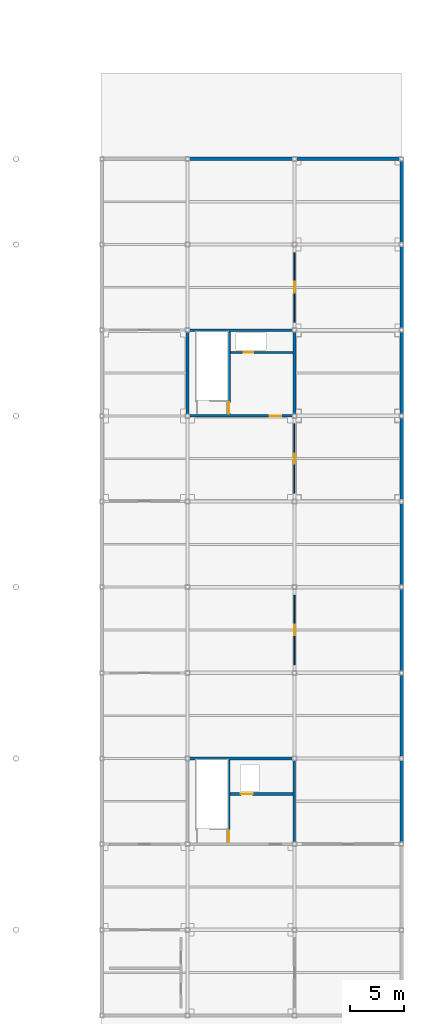
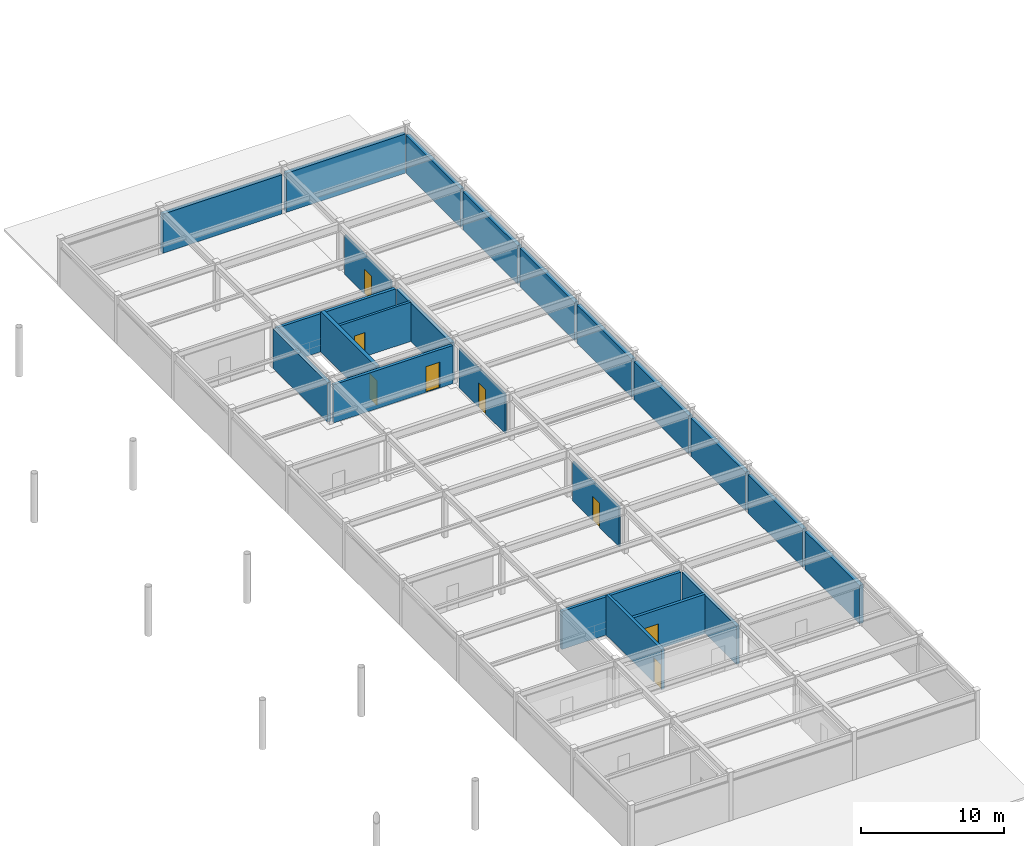
# One storey, part 59 of 78: 23 walls, 8 doors, 8 openings.
"""IFC4 building model written with IfcOpenShell, lengths in metres."""

from ifc_helpers import new_model, si_unit, direction, frame, frame_2d, origin, place, context, subcontext, project, spatial, rectangle, extrude, material, layer, layer_set, type_object, element, fill, save


model = new_model("IFC4")

# Units and contexts
model_context = context("Model", 3, precision=1e-05, world=origin(), true_north=direction((0.0, 1.0)))
body_context = subcontext(model_context, "Body", "Model", "MODEL_VIEW")
ifc_project = project(units=[si_unit("LENGTHUNIT", "METRE"), si_unit("AREAUNIT", "SQUARE_METRE"), si_unit("VOLUMEUNIT", "CUBIC_METRE"), si_unit("PLANEANGLEUNIT", "RADIAN"), si_unit("MASSUNIT", "GRAM", prefix="KILO")], contexts=[model_context])

# Site, building, storey
site_placement = place(None, origin())
site = spatial("IfcSite", under=ifc_project, at=site_placement, CompositionType="ELEMENT")
building_placement = place(site_placement, origin())
building = spatial("IfcBuilding", under=site, at=building_placement, Name="Haebicheon Civic Stadium", CompositionType="ELEMENT")
storey_placement = place(building_placement, frame((0.0, 0.0, 18.60009765625)))
storey = spatial("IfcBuildingStorey", under=building, at=storey_placement, Name="L05", CompositionType="ELEMENT", Elevation=18.60009765625)

# Walls
ifc_material_1 = material(Name="Concrete C40/50", Category="concrete")
ifc_layer_1 = layer(ifc_material_1, 0.239990234375, Name="Concrete C40/50")
ifc_layer_set_1 = layer_set([ifc_layer_1], Name="Concrete C40/50")
wall_type_1 = type_object("IfcWallType", Name="CW-SHR-240", PredefinedType="SHEAR", material=ifc_layer_set_1)
wall_1_placement = place(storey_placement, frame((216.175048828125, 72.0, 0.0), z_axis=(0.0, 0.0, 1.0), x_axis=(1.0, 0.0, 0.0)))
element("IfcWall", 1, at=wall_1_placement, inside=storey, type_object=wall_type_1, material=ifc_layer_set_1, Name="KC-12 L05 north core shear wall", PredefinedType="SHEAR", context=body_context, shape_type="SweptSolid", body=[
    extrude(rectangle(XDim=9.64990234375, YDim=0.239990234375, at=frame_2d((4.824951171875, 0.0))), origin(), (0.0, 0.0, 1.0), 3.27001953125),
])
wall_2_placement = place(storey_placement, frame((226.0, 64.175048828125, 0.0), z_axis=(0.0, 0.0, 1.0), x_axis=(0.0, 1.0, 0.0)))
element("IfcWall", 2, at=wall_2_placement, inside=storey, type_object=wall_type_1, material=ifc_layer_set_1, Name="KC-12 L05 east core shear wall", PredefinedType="SHEAR", context=body_context, shape_type="SweptSolid", body=[
    extrude(rectangle(XDim=7.64990234375, YDim=0.239990234375, at=frame_2d((3.824951171875, 0.0))), origin(), (0.0, 0.0, 1.0), 3.27001953125),
])

# Wall, opening, door
wall_3_placement = place(storey_placement, frame((219.8798828125, 64.1201171875, 0.0), z_axis=(0.0, 0.0, 1.0), x_axis=(0.0, 1.0, 0.0)))
wall_3 = element("IfcWall", 3, at=wall_3_placement, inside=storey, type_object=wall_type_1, material=ifc_layer_set_1, Name="KC-12 L05 stair-lobby dividing shear wall", PredefinedType="SHEAR", context=body_context, shape_type="SweptSolid", body=[
    extrude(rectangle(XDim=7.759765625, YDim=0.239990234375, at=frame_2d((3.8798828125, 0.0))), origin(), (0.0, 0.0, 1.0), 3.469970703125),
])
opening_1_placement = place(wall_3_placement, frame((0.080078125, 0.0, 0.0)))
opening_1 = element("IfcOpeningElement", 4, at=opening_1_placement, cuts=wall_3, Name="Opening D-L05-KC-12-STR", PredefinedType="OPENING", context=body_context, shape_type="SweptSolid", body=[
    extrude(rectangle(XDim=1.050048828125, YDim=2.14990234375, at=frame_2d((0.52490234375, 1.074951171875))), frame((0.0, 0.1298828125, 0.0), z_axis=(0.0, -1.0, 0.0), x_axis=(1.0, 0.0, 0.0)), (0.0, 0.0, 1.0), 0.260009765625),
])
ifc_material_2 = material(Name="Galvanised painted steel SM355", Category="steel")
door_type_1 = type_object("IfcDoorType", Name="ID-FD-1050", OperationType="NOTDEFINED", PredefinedType="DOOR", material=ifc_material_2)
door_1_placement = place(opening_1_placement, origin())
door_1 = element("IfcDoor", 5, at=door_1_placement, inside=storey, type_object=door_type_1, material=ifc_material_2, Name="L05 ST-12 stairwell escape door", OperationType="SINGLE_SWING_RIGHT", OverallHeight=2.14990234375, OverallWidth=1.050048828125, PredefinedType="DOOR", context=body_context, shape_type="SweptSolid", body=[
    extrude(rectangle(XDim=1.050048828125, YDim=2.14990234375, at=frame_2d((0.52490234375, 1.074951171875))), frame((0.0, 0.02490234375, 0.0), z_axis=(0.0, -1.0, 0.0), x_axis=(1.0, 0.0, 0.0)), (0.0, 0.0, 1.0), 0.050048828125),
])
fill(opening_1, door_1)

wall_4_placement = place(storey_placement, frame((220.0, 68.679931640625, 0.0), z_axis=(0.0, 0.0, 1.0), x_axis=(1.0, 0.0, 0.0)))
wall_4 = element("IfcWall", 6, at=wall_4_placement, inside=storey, type_object=wall_type_1, material=ifc_layer_set_1, Name="KC-12 L05 lift shaft front wall", PredefinedType="SHEAR", context=body_context, shape_type="SweptSolid", body=[
    extrude(rectangle(XDim=5.8798828125, YDim=0.239990234375, at=frame_2d((2.93994140625, 0.0))), origin(), (0.0, 0.0, 1.0), 3.369873046875),
])
opening_2_placement = place(wall_4_placement, frame((1.0, 0.0, 0.0)))
opening_2 = element("IfcOpeningElement", 7, at=opening_2_placement, cuts=wall_4, Name="Opening LD-09-L05", PredefinedType="OPENING", context=body_context, shape_type="SweptSolid", body=[
    extrude(rectangle(XDim=1.10009765625, YDim=2.14990234375, at=frame_2d((0.550048828125, 1.074951171875))), frame((0.0, 0.1298828125, 0.0), z_axis=(0.0, -1.0, 0.0), x_axis=(1.0, 0.0, 0.0)), (0.0, 0.0, 1.0), 0.260009765625),
])
ifc_material_3 = material(Name="Stainless steel 316", Category="steel")
door_type_2 = type_object("IfcDoorType", Name="ID-LD-1100", OperationType="NOTDEFINED", PredefinedType="DOOR", material=ifc_material_3)
door_2_placement = place(opening_2_placement, origin())
door_2 = element("IfcDoor", 8, at=door_2_placement, inside=storey, type_object=door_type_2, material=ifc_material_3, Name="LF-09 lift landing sliding door L05", OperationType="SLIDING_TO_LEFT", OverallHeight=2.14990234375, OverallWidth=1.10009765625, PredefinedType="DOOR", context=body_context, shape_type="SweptSolid", body=[
    extrude(rectangle(XDim=1.10009765625, YDim=2.14990234375, at=frame_2d((0.550048828125, 1.074951171875))), frame((0.0, 0.02490234375, 0.0), z_axis=(0.0, -1.0, 0.0), x_axis=(1.0, 0.0, 0.0)), (0.0, 0.0, 1.0), 0.050048828125),
])
fill(opening_2, door_2)

wall_5_placement = place(storey_placement, frame((216.175048828125, 104.0, 0.0), z_axis=(0.0, 0.0, 1.0), x_axis=(1.0, 0.0, 0.0)))
wall_5 = element("IfcWall", 9, at=wall_5_placement, inside=storey, type_object=wall_type_1, material=ifc_layer_set_1, Name="KC-13 L05 south core shear wall", PredefinedType="SHEAR", context=body_context, shape_type="SweptSolid", body=[
    extrude(rectangle(XDim=9.64990234375, YDim=0.239990234375, at=frame_2d((4.824951171875, 0.0))), origin(), (0.0, 0.0, 1.0), 3.27001953125),
])
opening_3_placement = place(wall_5_placement, frame((7.5, 0.0, 0.0)))
opening_3 = element("IfcOpeningElement", 10, at=opening_3_placement, cuts=wall_5, Name="Opening D-L05-KC-13-LOB", PredefinedType="OPENING", context=body_context, shape_type="SweptSolid", body=[
    extrude(rectangle(XDim=1.10009765625, YDim=2.199951171875, at=frame_2d((0.550048828125, 1.10009765625))), frame((0.0, 0.1298828125, 0.0), z_axis=(0.0, -1.0, 0.0), x_axis=(1.0, 0.0, 0.0)), (0.0, 0.0, 1.0), 0.260009765625),
])
ifc_material_4 = material(Name="Galvanised painted steel SM355", Category="steel")
door_type_3 = type_object("IfcDoorType", Name="ID-FD-1100", OperationType="NOTDEFINED", PredefinedType="DOOR", material=ifc_material_4)
door_3_placement = place(opening_3_placement, origin())
door_3 = element("IfcDoor", 11, at=door_3_placement, inside=storey, type_object=door_type_3, material=ifc_material_4, Name="L05 KC-13 lobby fire door", OperationType="SINGLE_SWING_LEFT", OverallHeight=2.199951171875, OverallWidth=1.10009765625, PredefinedType="DOOR", context=body_context, shape_type="SweptSolid", body=[
    extrude(rectangle(XDim=1.10009765625, YDim=2.199951171875, at=frame_2d((0.550048828125, 1.10009765625))), frame((0.0, 0.02490234375, 0.0), z_axis=(0.0, -1.0, 0.0), x_axis=(1.0, 0.0, 0.0)), (0.0, 0.0, 1.0), 0.050048828125),
])
fill(opening_3, door_3)

# Walls
wall_6_placement = place(storey_placement, frame((216.175048828125, 112.0, 0.0), z_axis=(0.0, 0.0, 1.0), x_axis=(1.0, 0.0, 0.0)))
element("IfcWall", 12, at=wall_6_placement, inside=storey, type_object=wall_type_1, material=ifc_layer_set_1, Name="KC-13 L05 north core shear wall", PredefinedType="SHEAR", context=body_context, shape_type="SweptSolid", body=[
    extrude(rectangle(XDim=9.64990234375, YDim=0.239990234375, at=frame_2d((4.824951171875, 0.0))), origin(), (0.0, 0.0, 1.0), 3.27001953125),
])
ifc_material_5 = material(Name="Concrete C40/50", Category="concrete")
ifc_layer_2 = layer(ifc_material_5, 0.300048828125, Name="Concrete C40/50")
ifc_layer_set_2 = layer_set([ifc_layer_2], Name="Concrete C40/50")
wall_type_2 = type_object("IfcWallType", Name="CW-SHR-300", PredefinedType="SHEAR", material=ifc_layer_set_2)
wall_7_placement = place(storey_placement, frame((216.0, 104.175048828125, 0.0), z_axis=(0.0, 0.0, 1.0), x_axis=(0.0, 1.0, 0.0)))
element("IfcWall", 13, at=wall_7_placement, inside=storey, type_object=wall_type_2, material=ifc_layer_set_2, Name="KC-13 L05 west core shear wall", PredefinedType="SHEAR", context=body_context, shape_type="SweptSolid", body=[
    extrude(rectangle(XDim=7.64990234375, YDim=0.300048828125, at=frame_2d((3.824951171875, 0.0))), origin(), (0.0, 0.0, 1.0), 3.369873046875),
])
wall_8_placement = place(storey_placement, frame((226.0, 104.175048828125, 0.0), z_axis=(0.0, 0.0, 1.0), x_axis=(0.0, 1.0, 0.0)))
element("IfcWall", 14, at=wall_8_placement, inside=storey, type_object=wall_type_2, material=ifc_layer_set_2, Name="KC-13 L05 east core shear wall", PredefinedType="SHEAR", context=body_context, shape_type="SweptSolid", body=[
    extrude(rectangle(XDim=7.64990234375, YDim=0.300048828125, at=frame_2d((3.824951171875, 0.0))), origin(), (0.0, 0.0, 1.0), 3.27001953125),
])

# Wall, opening, door
wall_9_placement = place(storey_placement, frame((219.8798828125, 104.1201171875, 0.0), z_axis=(0.0, 0.0, 1.0), x_axis=(0.0, 1.0, 0.0)))
wall_9 = element("IfcWall", 15, at=wall_9_placement, inside=storey, type_object=wall_type_2, material=ifc_layer_set_2, Name="KC-13 L05 stair-lobby dividing shear wall", PredefinedType="SHEAR", context=body_context, shape_type="SweptSolid", body=[
    extrude(rectangle(XDim=7.759765625, YDim=0.300048828125, at=frame_2d((3.8798828125, 0.0))), origin(), (0.0, 0.0, 1.0), 3.469970703125),
])
opening_4_placement = place(wall_9_placement, frame((0.080078125, 0.0, 0.0)))
opening_4 = element("IfcOpeningElement", 16, at=opening_4_placement, cuts=wall_9, Name="Opening D-L05-KC-13-STR", PredefinedType="OPENING", context=body_context, shape_type="SweptSolid", body=[
    extrude(rectangle(XDim=1.050048828125, YDim=2.14990234375, at=frame_2d((0.52490234375, 1.074951171875))), frame((0.0, 0.159912109375, 0.0), z_axis=(0.0, -1.0, 0.0), x_axis=(1.0, 0.0, 0.0)), (0.0, 0.0, 1.0), 0.320068359375),
])
door_4_placement = place(opening_4_placement, origin())
door_4 = element("IfcDoor", 17, at=door_4_placement, inside=storey, type_object=door_type_1, material=ifc_material_2, Name="L05 ST-13 stairwell escape door", OperationType="SINGLE_SWING_RIGHT", OverallHeight=2.14990234375, OverallWidth=1.050048828125, PredefinedType="DOOR", context=body_context, shape_type="SweptSolid", body=[
    extrude(rectangle(XDim=1.050048828125, YDim=2.14990234375, at=frame_2d((0.52490234375, 1.074951171875))), frame((0.0, 0.02490234375, 0.0), z_axis=(0.0, -1.0, 0.0), x_axis=(1.0, 0.0, 0.0)), (0.0, 0.0, 1.0), 0.050048828125),
])
fill(opening_4, door_4)

# Walls
ifc_material_6 = material(Name="Precast concrete C40/50", Category="concrete")
ifc_layer_3 = layer(ifc_material_6, 0.320068359375, Name="Precast concrete C40/50")
ifc_layer_set_3 = layer_set([ifc_layer_3], Name="Precast concrete C40/50")
wall_type_3 = type_object("IfcWallType", Name="EW-BM-320", PredefinedType="SOLIDWALL", material=ifc_layer_set_3)
wall_10_placement = place(storey_placement, frame((216.175048828125, 128.0, 0.0), z_axis=(0.0, 0.0, 1.0), x_axis=(1.0, 0.0, 0.0)))
element("IfcWall", 18, at=wall_10_placement, inside=storey, type_object=wall_type_3, material=ifc_layer_set_3, Name="L05 board-marked concrete facade wall 27-16-N", PredefinedType="SOLIDWALL", context=body_context, shape_type="SweptSolid", body=[
    extrude(rectangle(XDim=9.64990234375, YDim=0.320068359375, at=frame_2d((4.824951171875, 0.0))), origin(), (0.0, 0.0, 1.0), 3.349853515625),
])
for number, where, z_axis, x_axis, name in (
    (19, (236.0, 64.175048828125, 0.0), (0.0, 0.0, 1.0), (0.0, 1.0, 0.0), "L05 board-marked concrete facade wall 29-08-E"),
    (20, (236.0, 72.175048828125, 0.0), (0.0, 0.0, 1.0), (0.0, 1.0, 0.0), "L05 board-marked concrete facade wall 29-09-E"),
    (21, (236.0, 80.175048828125, 0.0), (0.0, 0.0, 1.0), (0.0, 1.0, 0.0), "L05 board-marked concrete facade wall 29-10-E"),
    (22, (236.0, 88.175048828125, 0.0), (0.0, 0.0, 1.0), (0.0, 1.0, 0.0), "L05 board-marked concrete facade wall 29-11-E"),
    (23, (236.0, 96.175048828125, 0.0), (0.0, 0.0, 1.0), (0.0, 1.0, 0.0), "L05 board-marked concrete facade wall 29-12-E"),
    (24, (236.0, 104.175048828125, 0.0), (0.0, 0.0, 1.0), (0.0, 1.0, 0.0), "L05 board-marked concrete facade wall 29-13-E"),
    (25, (236.0, 112.175048828125, 0.0), (0.0, 0.0, 1.0), (0.0, 1.0, 0.0), "L05 board-marked concrete facade wall 29-14-E"),
):
    element("IfcWall", number, at=place(storey_placement, frame(where, z_axis=z_axis, x_axis=x_axis)), inside=storey, type_object=wall_type_3, material=ifc_layer_set_3, Name=name, PredefinedType="SOLIDWALL", context=body_context, shape_type="SweptSolid", body=[
        extrude(rectangle(XDim=7.64990234375, YDim=0.320068359375, at=frame_2d((3.824951171875, 0.0))), origin(), (0.0, 0.0, 1.0), 3.27001953125),
    ])
wall_11_placement = place(storey_placement, frame((226.175048828125, 128.0, 0.0), z_axis=(0.0, 0.0, 1.0), x_axis=(1.0, 0.0, 0.0)))
element("IfcWall", 26, at=wall_11_placement, inside=storey, type_object=wall_type_3, material=ifc_layer_set_3, Name="L05 board-marked concrete facade wall 28-16-N", PredefinedType="SOLIDWALL", context=body_context, shape_type="SweptSolid", body=[
    extrude(rectangle(XDim=9.64990234375, YDim=0.320068359375, at=frame_2d((4.824951171875, 0.0))), origin(), (0.0, 0.0, 1.0), 3.349853515625),
])
wall_12_placement = place(storey_placement, frame((236.0, 120.175048828125, 0.0), z_axis=(0.0, 0.0, 1.0), x_axis=(0.0, 1.0, 0.0)))
element("IfcWall", 27, at=wall_12_placement, inside=storey, type_object=wall_type_3, material=ifc_layer_set_3, Name="L05 board-marked concrete facade wall 29-15-E", PredefinedType="SOLIDWALL", context=body_context, shape_type="SweptSolid", body=[
    extrude(rectangle(XDim=7.64990234375, YDim=0.320068359375, at=frame_2d((3.824951171875, 0.0))), origin(), (0.0, 0.0, 1.0), 3.27001953125),
])

# Wall, opening, door
ifc_material_7 = material(Name="Concrete C35/45", Category="concrete")
ifc_layer_4 = layer(ifc_material_7, 0.199951171875, Name="Concrete C35/45")
ifc_layer_set_4 = layer_set([ifc_layer_4], Name="Concrete C35/45")
wall_type_4 = type_object("IfcWallType", Name="IW-FIR-200", PredefinedType="PARTITIONING", material=ifc_layer_set_4)
wall_13_placement = place(storey_placement, frame((220.030029296875, 109.919921875, 0.0), z_axis=(0.0, 0.0, 1.0), x_axis=(1.0, 0.0, 0.0)))
wall_13 = element("IfcWall", 28, at=wall_13_placement, inside=storey, type_object=wall_type_4, material=ifc_layer_set_4, Name="KC-13 L05 service riser wall", PredefinedType="PARTITIONING", context=body_context, shape_type="SweptSolid", body=[
    extrude(rectangle(XDim=5.820068359375, YDim=0.199951171875, at=frame_2d((2.91015625, 0.0))), origin(), (0.0, 0.0, 1.0), 3.369873046875),
])
opening_5_placement = place(wall_13_placement, frame((1.25, 0.0, 0.0)))
opening_5 = element("IfcOpeningElement", 29, at=opening_5_placement, cuts=wall_13, Name="Opening D-L05-KC-13-RSR", PredefinedType="OPENING", context=body_context, shape_type="SweptSolid", body=[
    extrude(rectangle(XDim=0.85009765625, YDim=2.050048828125, at=frame_2d((0.425048828125, 1.02490234375))), frame((0.0, 0.10986328125, 0.0), z_axis=(0.0, -1.0, 0.0), x_axis=(1.0, 0.0, 0.0)), (0.0, 0.0, 1.0), 0.219970703125),
])
ifc_material_8 = material(Name="Galvanised painted steel SM355", Category="steel")
door_type_4 = type_object("IfcDoorType", Name="ID-RSR-0850", OperationType="NOTDEFINED", PredefinedType="TRAPDOOR", material=ifc_material_8)
door_5_placement = place(opening_5_placement, origin())
door_5 = element("IfcDoor", 30, at=door_5_placement, inside=storey, type_object=door_type_4, material=ifc_material_8, Name="L05 KC-13 riser access door", OperationType="SINGLE_SWING_LEFT", OverallHeight=2.050048828125, OverallWidth=0.85009765625, PredefinedType="TRAPDOOR", context=body_context, shape_type="SweptSolid", body=[
    extrude(rectangle(XDim=0.85009765625, YDim=2.050048828125, at=frame_2d((0.425048828125, 1.02490234375))), frame((0.0, 0.02490234375, 0.0), z_axis=(0.0, -1.0, 0.0), x_axis=(1.0, 0.0, 0.0)), (0.0, 0.0, 1.0), 0.050048828125),
])
fill(opening_5, door_5)

ifc_material_9 = material(Name="Anodised aluminium and laminated glass", Category="aluminium")
ifc_layer_5 = layer(ifc_material_9, 0.10009765625, Name="Anodised aluminium and laminated glass")
ifc_layer_set_5 = layer_set([ifc_layer_5], Name="Anodised aluminium and laminated glass")
wall_type_5 = type_object("IfcWallType", Name="IW-PRT-100", PredefinedType="PARTITIONING", material=ifc_layer_set_5)
wall_14_placement = place(storey_placement, frame((226.0, 96.75, 0.0), z_axis=(0.0, 0.0, 1.0), x_axis=(0.0, 1.0, 0.0)))
wall_14 = element("IfcWall", 31, at=wall_14_placement, inside=storey, type_object=wall_type_5, material=ifc_layer_set_5, Name="L05 Timekeeping Announcer Booth partition wall", PredefinedType="PARTITIONING", context=body_context, shape_type="SweptSolid", body=[
    extrude(rectangle(XDim=6.5, YDim=0.10009765625, at=frame_2d((3.25, 0.0))), origin(), (0.0, 0.0, 1.0), 3.369873046875),
])
opening_6_placement = place(wall_14_placement, frame((2.77490234375, 0.0, 0.0)))
opening_6 = element("IfcOpeningElement", 32, at=opening_6_placement, cuts=wall_14, Name="Opening D-L05-445", PredefinedType="OPENING", context=body_context, shape_type="SweptSolid", body=[
    extrude(rectangle(XDim=0.949951171875, YDim=2.10009765625, at=frame_2d((0.47509765625, 1.050048828125))), frame((0.0, 0.06005859375, 0.0), z_axis=(0.0, -1.0, 0.0), x_axis=(1.0, 0.0, 0.0)), (0.0, 0.0, 1.0), 0.1201171875),
])
ifc_material_10 = material(Name="Engineered hardwood timber", Category="wood")
door_type_5 = type_object("IfcDoorType", Name="ID-RM-0950", OperationType="NOTDEFINED", PredefinedType="DOOR", material=ifc_material_10)
door_6_placement = place(opening_6_placement, origin())
door_6 = element("IfcDoor", 33, at=door_6_placement, inside=storey, type_object=door_type_5, material=ifc_material_10, Name="L05 Timekeeping Announcer Booth entrance door D-L05-445", OperationType="SINGLE_SWING_RIGHT", OverallHeight=2.10009765625, OverallWidth=0.949951171875, PredefinedType="DOOR", context=body_context, shape_type="SweptSolid", body=[
    extrude(rectangle(XDim=0.949951171875, YDim=2.10009765625, at=frame_2d((0.47509765625, 1.050048828125))), frame((0.0, 0.02490234375, 0.0), z_axis=(0.0, -1.0, 0.0), x_axis=(1.0, 0.0, 0.0)), (0.0, 0.0, 1.0), 0.050048828125),
])
fill(opening_6, door_6)

ifc_material_11 = material(Name="Gypsum plasterboard on steel studs", Category="gypsum")
ifc_layer_6 = layer(ifc_material_11, 0.1201171875, Name="Gypsum plasterboard on steel studs")
ifc_layer_set_6 = layer_set([ifc_layer_6], Name="Gypsum plasterboard on steel studs")
wall_type_6 = type_object("IfcWallType", Name="IW-PRT-120", PredefinedType="PARTITIONING", material=ifc_layer_set_6)
wall_15_placement = place(storey_placement, frame((226.0, 112.75, 0.0), z_axis=(0.0, 0.0, 1.0), x_axis=(0.0, 1.0, 0.0)))
wall_15 = element("IfcWall", 34, at=wall_15_placement, inside=storey, type_object=wall_type_6, material=ifc_layer_set_6, Name="L05 Community Stand Press Gallery partition wall", PredefinedType="PARTITIONING", context=body_context, shape_type="SweptSolid", body=[
    extrude(rectangle(XDim=6.5, YDim=0.1201171875, at=frame_2d((3.25, 0.0))), origin(), (0.0, 0.0, 1.0), 3.369873046875),
])
opening_7_placement = place(wall_15_placement, frame((2.75, 0.0, 0.0)))
opening_7 = element("IfcOpeningElement", 35, at=opening_7_placement, cuts=wall_15, Name="Opening D-L05-446", PredefinedType="OPENING", context=body_context, shape_type="SweptSolid", body=[
    extrude(rectangle(XDim=1.0, YDim=2.10009765625, at=frame_2d((0.5, 1.050048828125))), frame((0.0, 0.070068359375, 0.0), z_axis=(0.0, -1.0, 0.0), x_axis=(1.0, 0.0, 0.0)), (0.0, 0.0, 1.0), 0.14013671875),
])
ifc_material_12 = material(Name="Engineered hardwood timber", Category="wood")
door_type_6 = type_object("IfcDoorType", Name="ID-RM-1000", OperationType="NOTDEFINED", PredefinedType="DOOR", material=ifc_material_12)
door_7_placement = place(opening_7_placement, origin())
door_7 = element("IfcDoor", 36, at=door_7_placement, inside=storey, type_object=door_type_6, material=ifc_material_12, Name="L05 Community Stand Press Gallery entrance door D-L05-446", OperationType="SINGLE_SWING_LEFT", OverallHeight=2.10009765625, OverallWidth=1.0, PredefinedType="DOOR", context=body_context, shape_type="SweptSolid", body=[
    extrude(rectangle(XDim=1.0, YDim=2.10009765625, at=frame_2d((0.5, 1.050048828125))), frame((0.0, 0.02490234375, 0.0), z_axis=(0.0, -1.0, 0.0), x_axis=(1.0, 0.0, 0.0)), (0.0, 0.0, 1.0), 0.050048828125),
])
fill(opening_7, door_7)

ifc_material_13 = material(Name="Gypsum plasterboard on steel studs", Category="gypsum")
ifc_layer_7 = layer(ifc_material_13, 0.1298828125, Name="Gypsum plasterboard on steel studs")
ifc_layer_set_7 = layer_set([ifc_layer_7], Name="Gypsum plasterboard on steel studs")
wall_type_7 = type_object("IfcWallType", Name="IW-PRT-130", PredefinedType="PARTITIONING", material=ifc_layer_set_7)
wall_16_placement = place(storey_placement, frame((226.0, 80.75, 0.0), z_axis=(0.0, 0.0, 1.0), x_axis=(0.0, 1.0, 0.0)))
wall_16 = element("IfcWall", 37, at=wall_16_placement, inside=storey, type_object=wall_type_7, material=ifc_layer_set_7, Name="L05 Athletics Photo-Finish Control Room partition wall", PredefinedType="PARTITIONING", context=body_context, shape_type="SweptSolid", body=[
    extrude(rectangle(XDim=6.5, YDim=0.1298828125, at=frame_2d((3.25, 0.0))), origin(), (0.0, 0.0, 1.0), 3.369873046875),
])
opening_8_placement = place(wall_16_placement, frame((2.75, 0.0, 0.0)))
opening_8 = element("IfcOpeningElement", 38, at=opening_8_placement, cuts=wall_16, Name="Opening D-L05-444", PredefinedType="OPENING", context=body_context, shape_type="SweptSolid", body=[
    extrude(rectangle(XDim=1.0, YDim=2.10009765625, at=frame_2d((0.5, 1.050048828125))), frame((0.0, 0.074951171875, 0.0), z_axis=(0.0, -1.0, 0.0), x_axis=(1.0, 0.0, 0.0)), (0.0, 0.0, 1.0), 0.14990234375),
])
door_8_placement = place(opening_8_placement, origin())
door_8 = element("IfcDoor", 39, at=door_8_placement, inside=storey, type_object=door_type_6, material=ifc_material_12, Name="L05 Athletics Photo-Finish Control Room entrance door D-L05-444", OperationType="SINGLE_SWING_LEFT", OverallHeight=2.10009765625, OverallWidth=1.0, PredefinedType="DOOR", context=body_context, shape_type="SweptSolid", body=[
    extrude(rectangle(XDim=1.0, YDim=2.10009765625, at=frame_2d((0.5, 1.050048828125))), frame((0.0, 0.02490234375, 0.0), z_axis=(0.0, -1.0, 0.0), x_axis=(1.0, 0.0, 0.0)), (0.0, 0.0, 1.0), 0.050048828125),
])
fill(opening_8, door_8)

save(model, "model.ifc")
